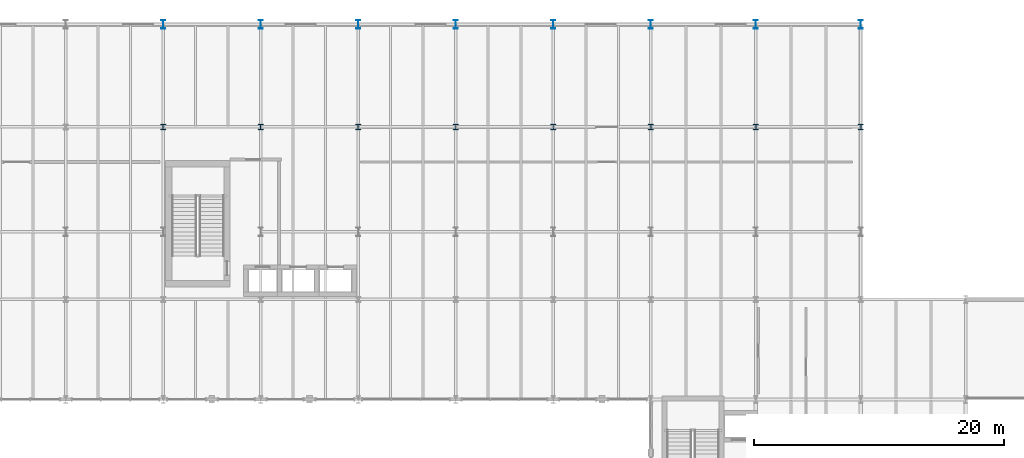
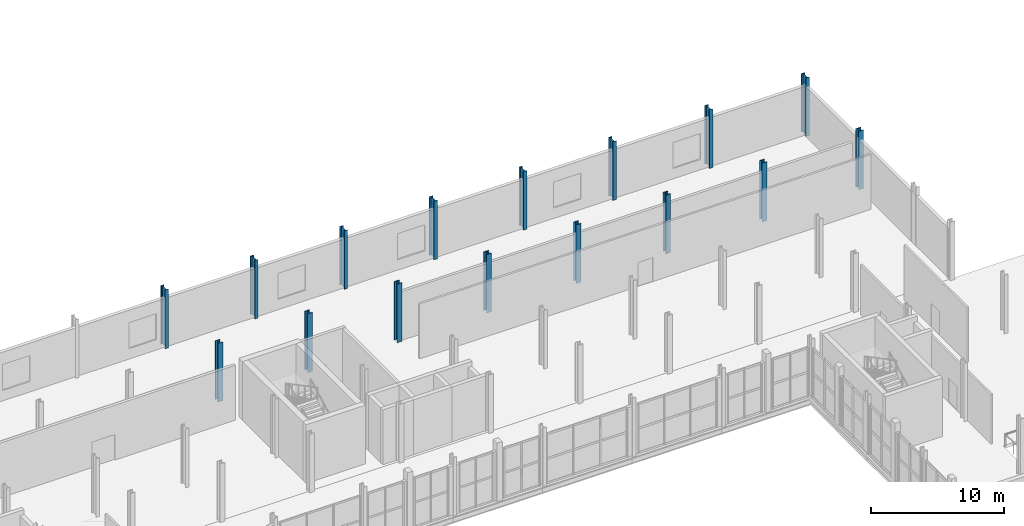
# One storey, part 12 of 78: 16 columns.
"""IFC4 building model written with IfcOpenShell, lengths in metres."""

from ifc_helpers import new_model, si_unit, direction, frame, origin, origin_2d, place, context, subcontext, project, spatial, i_section, extrude, material, material_profile, profile_set, type_object, element, save


model = new_model("IFC4")

# Units and contexts
model_context = context("Model", 3, precision=1e-05, world=origin(), true_north=direction((0.0, 1.0)))
body_context = subcontext(model_context, "Body", "Model", "MODEL_VIEW")
ifc_project = project(units=[si_unit("LENGTHUNIT", "METRE"), si_unit("AREAUNIT", "SQUARE_METRE"), si_unit("VOLUMEUNIT", "CUBIC_METRE"), si_unit("PLANEANGLEUNIT", "RADIAN"), si_unit("MASSUNIT", "GRAM", prefix="KILO")], contexts=[model_context])

# Site, building, storey
site_placement = place(None, origin())
site = spatial("IfcSite", under=ifc_project, at=site_placement, CompositionType="ELEMENT")
building_placement = place(site_placement, origin())
building = spatial("IfcBuilding", under=site, at=building_placement, Name="Sefraquen Railside Congress Hotel", CompositionType="ELEMENT")
storey_placement = place(building_placement, frame((0.0, 0.0, 6.0)))
storey = spatial("IfcBuildingStorey", under=building, at=storey_placement, Name="L01", CompositionType="ELEMENT", Elevation=6.0)

# Columns
ifc_material_1 = material(Name="Steel S355J2", Category="steel")
ifc_material_profile_1 = material_profile(ifc_material_1, i_section(OverallWidth=0.416015625, OverallDepth=0.446044921875, WebThickness=0.035888671875, FlangeThickness=0.048095703125, FilletRadius=0.014892578125, at=origin_2d()), Name="HD 400x509")
ifc_profile_set_1 = profile_set([ifc_material_profile_1], Name="Steel S355J2")
column_type_1 = type_object("IfcColumnType", Name="TC-HD-509", PredefinedType="COLUMN", material=ifc_profile_set_1)
for number, where, z_axis, x_axis, name in (
    (1, (64.199951171875, 109.800048828125, 0.0), (0.0, 0.0, 1.0), (1.0, 0.0, 0.0), "Structural column 9-P L01"),
    (2, (72.0, 109.800048828125, 0.0), (0.0, 0.0, 1.0), (1.0, 0.0, 0.0), "Structural column 10-P L01"),
    (3, (79.800048828125, 109.800048828125, 0.0), (0.0, 0.0, 1.0), (1.0, 0.0, 0.0), "Structural column 11-P L01"),
    (4, (87.60009765625, 109.800048828125, 0.0), (0.0, 0.0, 1.0), (1.0, 0.0, 0.0), "Structural column 12-P L01"),
    (5, (95.39990234375, 109.800048828125, 0.0), (0.0, 0.0, 1.0), (1.0, 0.0, 0.0), "Structural column 13-P L01"),
    (6, (103.199951171875, 109.800048828125, 0.0), (0.0, 0.0, 1.0), (1.0, 0.0, 0.0), "Structural column 14-P L01"),
    (7, (111.60009765625, 109.800048828125, 0.0), (0.0, 0.0, 1.0), (1.0, 0.0, 0.0), "Structural column 15-P L01"),
    (8, (120.0, 109.800048828125, 0.0), (0.0, 0.0, 1.0), (1.0, 0.0, 0.0), "Structural column 16-P L01"),
):
    element("IfcColumn", number, at=place(storey_placement, frame(where, z_axis=z_axis, x_axis=x_axis)), inside=storey, type_object=column_type_1, Name=name, PredefinedType="COLUMN", context=body_context, shape_type="SweptSolid", body=[
        extrude(i_section(OverallWidth=0.416015625, OverallDepth=0.446044921875, WebThickness=0.035888671875, FlangeThickness=0.048095703125, FilletRadius=0.014892578125, at=origin_2d()), origin(), (0.0, 0.0, 1.0), 5.39990234375),
    ])
ifc_material_2 = material(Name="Steel S355JR", Category="steel")
ifc_material_profile_2 = material_profile(ifc_material_2, i_section(OverallWidth=0.300048828125, OverallDepth=0.699951171875, WebThickness=0.01708984375, FlangeThickness=0.031982421875, FilletRadius=0.027099609375, at=origin_2d()), Name="HEB 700")
ifc_profile_set_2 = profile_set([ifc_material_profile_2], Name="Steel S355JR")
column_type_2 = type_object("IfcColumnType", Name="TC-HEB-700", PredefinedType="COLUMN", material=ifc_profile_set_2)
for number, where, z_axis, x_axis, name in (
    (9, (64.199951171875, 118.0, 0.0), (0.0, 0.0, 1.0), (1.0, 0.0, 0.0), "Structural column 9-Q L01"),
    (10, (72.0, 118.0, 0.0), (0.0, 0.0, 1.0), (1.0, 0.0, 0.0), "Structural column 10-Q L01"),
    (11, (79.800048828125, 118.0, 0.0), (0.0, 0.0, 1.0), (1.0, 0.0, 0.0), "Structural column 11-Q L01"),
    (12, (87.60009765625, 118.0, 0.0), (0.0, 0.0, 1.0), (1.0, 0.0, 0.0), "Structural column 12-Q L01"),
    (13, (95.39990234375, 118.0, 0.0), (0.0, 0.0, 1.0), (1.0, 0.0, 0.0), "Structural column 13-Q L01"),
    (14, (103.199951171875, 118.0, 0.0), (0.0, 0.0, 1.0), (1.0, 0.0, 0.0), "Structural column 14-Q L01"),
    (15, (111.60009765625, 118.0, 0.0), (0.0, 0.0, 1.0), (1.0, 0.0, 0.0), "Structural column 15-Q L01"),
    (16, (120.0, 118.0, 0.0), (0.0, 0.0, 1.0), (1.0, 0.0, 0.0), "Structural column 16-Q L01"),
):
    element("IfcColumn", number, at=place(storey_placement, frame(where, z_axis=z_axis, x_axis=x_axis)), inside=storey, type_object=column_type_2, Name=name, PredefinedType="COLUMN", context=body_context, shape_type="SweptSolid", body=[
        extrude(i_section(OverallWidth=0.300048828125, OverallDepth=0.699951171875, WebThickness=0.01708984375, FlangeThickness=0.031982421875, FilletRadius=0.027099609375, at=origin_2d()), origin(), (0.0, 0.0, 1.0), 5.39990234375),
    ])

save(model, "model.ifc")
